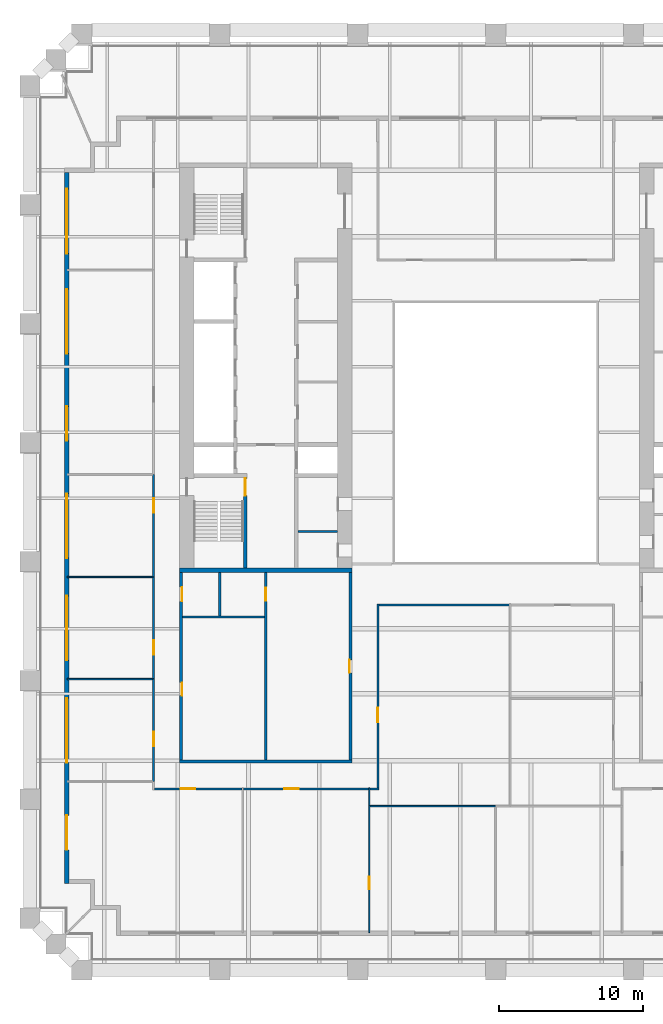
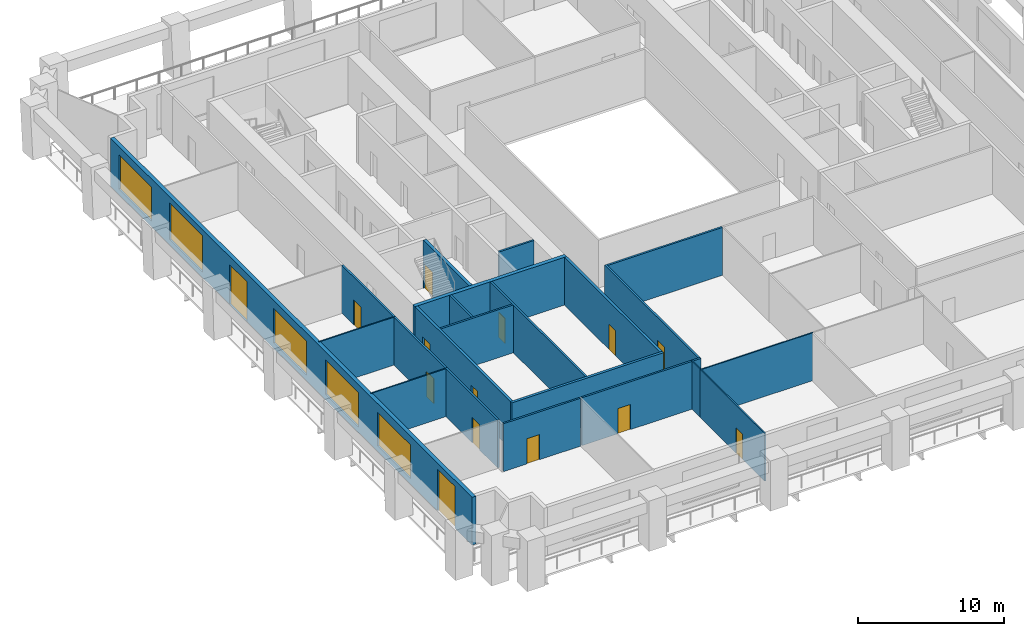
# One storey, part 3 of 9: 23 walls, 14 doors, 5 windows, 19 openings.
"""IFC4 building model written with IfcOpenShell, lengths in metres."""

import ifcopenshell
import ifcopenshell.guid

model = None  # the IFC model being written
_history = None  # IfcOwnerHistory: only IFC2X3 demands one
_inside = {}  # id of a spatial element -> (the spatial element, [elements in it])
_under = {}  # id of a project, library or spatial element -> (it, [spatial elements below it])
_declared = {}  # id of a project -> (the project, [libraries it declares])
_typed = {}  # id of a type object -> (the type object, [elements of that type])
_made_of = {}  # id of a material, layer set ... -> (it, [elements and type objects made of it])


def new_model(schema):
    """Start an empty IFC model of exactly this schema.

    Asked for "IFC4X3", IfcOpenShell would pick the latest addendum, in which some entities
    have other attributes; the version numbers below select the first issue.
    IFC2X3 requires an IfcOwnerHistory on every rooted entity: one is made here for all.
    """
    global model, _history
    if schema == "IFC4X3":
        model = ifcopenshell.file(schema_version=(4, 3, 0, 0))
    else:
        model = ifcopenshell.file(schema=schema)
    _inside.clear()
    _under.clear()
    _declared.clear()
    _typed.clear()
    _made_of.clear()
    _history = None
    if model.schema == "IFC2X3":
        org = make("IfcOrganization", Name="unknown")
        user = make(
            "IfcPersonAndOrganization",
            ThePerson=make("IfcPerson", FamilyName="unknown"),
            TheOrganization=org,
        )
        app = make(
            "IfcApplication",
            ApplicationDeveloper=org,
            Version="unknown",
            ApplicationFullName="unknown",
            ApplicationIdentifier="unknown",
        )
        _history = make(
            "IfcOwnerHistory",
            OwningUser=user,
            OwningApplication=app,
            ChangeAction="ADDED",
            CreationDate=0,
        )
    return model


def make(cls, **values):
    """One entity of the class cls with the attributes given. An attribute that is None is left unset."""
    return model.create_entity(
        cls, **{name: value for name, value in values.items() if value is not None}
    )


def rooted(cls, **values):
    """An entity with a GlobalId (a new one), such as an element, a storey or a relation."""
    return make(cls, GlobalId=ifcopenshell.guid.new(), OwnerHistory=_history, **values)


def si_unit(unit_type, name, prefix=None):
    """IfcSIUnit, for example si_unit("LENGTHUNIT", "METRE", prefix="MILLI")."""
    return make("IfcSIUnit", UnitType=unit_type, Prefix=prefix, Name=name)


def assignment(units):
    """IfcUnitAssignment: the units of a project."""
    return None if units is None else make("IfcUnitAssignment", Units=units)


def point(xyz):
    """IfcCartesianPoint."""
    return None if xyz is None else make("IfcCartesianPoint", Coordinates=xyz)


def direction(xyz):
    """IfcDirection."""
    return None if xyz is None else make("IfcDirection", DirectionRatios=xyz)


def frame(location, z_axis=None, x_axis=None):
    """IfcAxis2Placement3D, a coordinate frame: its origin and axes. An axis left out is left unset."""
    return make(
        "IfcAxis2Placement3D",
        Location=point(location),
        Axis=direction(z_axis),
        RefDirection=direction(x_axis),
    )


def frame_2d(location, x_axis=None):
    """IfcAxis2Placement2D, a coordinate frame in the plane: its origin and x axis."""
    return make(
        "IfcAxis2Placement2D", Location=point(location), RefDirection=direction(x_axis)
    )


def origin():
    """The frame at (0, 0, 0) with its axes left unset."""
    return frame((0.0, 0.0, 0.0))


def place(relative_to, where):
    """IfcLocalPlacement: puts the frame where relative to a parent placement (None: the world)."""
    return make(
        "IfcLocalPlacement", PlacementRelTo=relative_to, RelativePlacement=where
    )


def context(
    kind, dimensions, precision=None, world=None, true_north=None, identifier=None
):
    """IfcGeometricRepresentationContext, for example the 3D "Model" context."""
    return make(
        "IfcGeometricRepresentationContext",
        ContextIdentifier=identifier,
        ContextType=kind,
        CoordinateSpaceDimension=dimensions,
        Precision=precision,
        WorldCoordinateSystem=world,
        TrueNorth=true_north,
    )


def subcontext(parent, identifier, kind, view, scale=None):
    """IfcGeometricRepresentationSubContext, for example "Body" below "Model"."""
    return make(
        "IfcGeometricRepresentationSubContext",
        ContextIdentifier=identifier,
        ContextType=kind,
        ParentContext=parent,
        TargetScale=scale,
        TargetView=view,
    )


def project(units=None, contexts=None):
    """IfcProject with its units and contexts."""
    return rooted(
        "IfcProject",
        Name="project",
        RepresentationContexts=contexts,
        UnitsInContext=assignment(units),
    )


def spatial(cls, under=None, at=None, **own):
    """A site, building, storey or space (cls), placed at a placement, below another one or the project."""
    s = rooted(cls, ObjectPlacement=at, **own)
    if under is not None:
        _under.setdefault(under.id(), (under, []))[1].append(s)
    return s


def profile(cls, at=None, kind="AREA", **sizes):
    """A parametric profile (cls). Its sizes go by their IFC names, for example OverallWidth=200.0."""
    return make(cls, ProfileType=kind, Position=at, **sizes)


def rectangle(**sizes):
    """IfcRectangleProfileDef."""
    return profile("IfcRectangleProfileDef", **sizes)


def extrude(swept, where, along, depth):
    """IfcExtrudedAreaSolid: the profile swept, set in the frame where, extruded along a direction by depth."""
    return make(
        "IfcExtrudedAreaSolid",
        SweptArea=swept,
        Position=where,
        ExtrudedDirection=direction(along),
        Depth=depth,
    )


def shape(context_of_items, identifier, shape_type, items):
    """IfcShapeRepresentation: the items that make up one representation, for example the "Body"."""
    return make(
        "IfcShapeRepresentation",
        ContextOfItems=context_of_items,
        RepresentationIdentifier=identifier,
        RepresentationType=shape_type,
        Items=items,
    )


def material(Name=None, Category=None):
    """IfcMaterial."""
    return make("IfcMaterial", Name=Name, Category=Category)


def layer(
    of_material, thickness, ventilated=None, Name=None, Category=None, Priority=None
):
    """IfcMaterialLayer: one layer of a wall or slab, of a material (None: an air gap)."""
    return make(
        "IfcMaterialLayer",
        Material=of_material,
        LayerThickness=thickness,
        IsVentilated=ventilated,
        Name=Name,
        Category=Category,
        Priority=Priority,
    )


def layer_set(layers, Name=None):
    """IfcMaterialLayerSet."""
    return make("IfcMaterialLayerSet", MaterialLayers=layers, LayerSetName=Name)


def made_of(thing, what):
    """Note that an element or type object is made of a material, layer set ...; save() writes the relation."""
    if what is not None:
        _made_of.setdefault(what.id(), (what, []))[1].append(thing)
    return thing


def type_object(cls, material=None, **own):
    """A type object (cls), such as IfcWallType, which elements share."""
    return made_of(rooted(cls, **own), material)


def element(
    cls,
    number,
    at=None,
    inside=None,
    cuts=None,
    type_object=None,
    material=None,
    context=None,
    identifier="Body",
    shape_type=None,
    held_by="IfcProductDefinitionShape",
    body=None,
    shapes=None,
    **own,
):
    """One element of the class cls, such as IfcWall. Its Tag is "e" and its number.

    at: its placement. inside: the storey or other place that contains it. cuts: it is an
    opening in that element (IfcRelVoidsElement). A single representation is given by context,
    identifier, shape_type and body (its items); several are given by shapes. held_by: the class
    of the entity that holds the representations. save() writes the other relations.
    """
    e = rooted(cls, Tag="e%d" % number, ObjectPlacement=at, **own)
    if body is not None:
        shapes = [shape(context, identifier, shape_type, body)]
    if shapes is not None:
        e.Representation = make(held_by, Representations=shapes)
    if inside is not None:
        _inside.setdefault(inside.id(), (inside, []))[1].append(e)
    if cuts is not None:
        rooted(
            "IfcRelVoidsElement", RelatingBuildingElement=cuts, RelatedOpeningElement=e
        )
    if type_object is not None:
        _typed.setdefault(type_object.id(), (type_object, []))[1].append(e)
    return made_of(e, material)


def fill(opening, filler):
    """IfcRelFillsElement: the door or window that sits in an opening."""
    return rooted(
        "IfcRelFillsElement",
        RelatingOpeningElement=opening,
        RelatedBuildingElement=filler,
    )


def aggregate(whole, parts):
    """IfcRelAggregates: a whole, such as a stair, and the parts it consists of."""
    return rooted("IfcRelAggregates", RelatingObject=whole, RelatedObjects=parts)


def save(model, path):
    """Write the relations noted so far, then the file.

    IfcRelAggregates (storeys below a building ...), IfcRelContainedInSpatialStructure (elements
    in a storey), IfcRelDefinesByType, IfcRelAssociatesMaterial and IfcRelDeclares: one each for
    every whole, place, type object, material and project.
    """
    for whole, parts in _under.values():
        aggregate(whole, parts)
    for where, things in _inside.values():
        rooted(
            "IfcRelContainedInSpatialStructure",
            RelatedElements=things,
            RelatingStructure=where,
        )
    for kind, things in _typed.values():
        rooted("IfcRelDefinesByType", RelatedObjects=things, RelatingType=kind)
    for what, things in _made_of.values():
        rooted("IfcRelAssociatesMaterial", RelatedObjects=things, RelatingMaterial=what)
    for by, libraries in _declared.values():
        rooted("IfcRelDeclares", RelatingContext=by, RelatedDefinitions=libraries)
    model.write(path)


model = new_model("IFC4")

# Units and contexts
model_context = context("Model", 3, precision=1e-05, world=origin(), true_north=direction((0.0, 1.0)))
body_context = subcontext(model_context, "Body", "Model", "MODEL_VIEW")
ifc_project = project(units=[si_unit("LENGTHUNIT", "METRE"), si_unit("AREAUNIT", "SQUARE_METRE"), si_unit("VOLUMEUNIT", "CUBIC_METRE"), si_unit("PLANEANGLEUNIT", "RADIAN"), si_unit("MASSUNIT", "GRAM", prefix="KILO")], contexts=[model_context])

# Site, building, storey
site_placement = place(None, origin())
site = spatial("IfcSite", under=ifc_project, at=site_placement, CompositionType="ELEMENT")
building_placement = place(site_placement, origin())
building = spatial("IfcBuilding", under=site, at=building_placement, Name="Ogive Exchange Tower", CompositionType="ELEMENT")
storey_placement = place(building_placement, frame((0.0, 0.0, 69.0)))
storey = spatial("IfcBuildingStorey", under=building, at=storey_placement, Name="L14", CompositionType="ELEMENT", Elevation=69.0)

# Wall
ifc_material_1 = material(Name="Gypsum board partition")
ifc_layer_1 = layer(ifc_material_1, 0.14990234375)
ifc_layer_set_1 = layer_set([ifc_layer_1], Name="Core room partition 150 gypsum")
wall_type_1 = type_object("IfcWallType", Name="Core room partition 150 gypsum", PredefinedType="PARTITIONING", material=ifc_layer_set_1)
wall_1_placement = place(storey_placement, frame((-13.75, 0.10009765625, 0.0), z_axis=(0.0, 0.0, 1.0), x_axis=(1.0, 0.0, 0.0)))
element("IfcWall", 1, at=wall_1_placement, inside=storey, type_object=wall_type_1, Name="W south room partition", PredefinedType="PARTITIONING", context=body_context, shape_type="SweptSolid", body=[
    extrude(rectangle(XDim=2.75, YDim=0.14990234375, at=frame_2d((1.375, 0.0))), origin(), (0.0, 0.0, 1.0), 4.0),
])

# Wall, opening, door
wall_2_placement = place(storey_placement, frame((-16.0, -15.800048828125, 0.0), z_axis=(0.0, 0.0, 1.0), x_axis=(0.0, 1.0, 0.0)))
wall_2 = element("IfcWall", 2, at=wall_2_placement, inside=storey, type_object=wall_type_1, Name="W annex S column wall", PredefinedType="PARTITIONING", context=body_context, shape_type="SweptSolid", body=[
    extrude(rectangle(XDim=13.050048828125, YDim=0.14990234375, at=frame_2d((6.52490234375, 0.0))), origin(), (0.0, 0.0, 1.0), 4.0),
])
opening_1_placement = place(wall_2_placement, frame((11.08740234375, 0.0, 0.0)))
opening_1 = element("IfcOpeningElement", 3, at=opening_1_placement, cuts=wall_2, Name="Opening L14-C22", PredefinedType="OPENING", context=body_context, shape_type="SweptSolid", body=[
    extrude(rectangle(XDim=0.89990234375, YDim=2.10009765625, at=frame_2d((0.449951171875, 1.050048828125))), frame((0.0, 0.0849609375, 0.0), z_axis=(0.0, -1.0, 0.0), x_axis=(1.0, 0.0, 0.0)), (0.0, 0.0, 1.0), 0.169921875),
])
ifc_material_2 = material(Name="Timber fire door", Category="wood")
door_type_1 = type_object("IfcDoorType", Name="Core room door FD30S 900 x 2100", OperationType="NOTDEFINED", PredefinedType="DOOR", material=ifc_material_2)
door_1_placement = place(opening_1_placement, origin())
door_1 = element("IfcDoor", 4, at=door_1_placement, inside=storey, type_object=door_type_1, Name="Core room door", ObjectType="CD6", OperationType="SINGLE_SWING_RIGHT", OverallHeight=2.10009765625, OverallWidth=0.89990234375, PredefinedType="DOOR", context=body_context, shape_type="SweptSolid", body=[
    extrude(rectangle(XDim=0.89990234375, YDim=2.10009765625, at=frame_2d((0.449951171875, 1.050048828125))), frame((0.0, 0.02490234375, 0.0), z_axis=(0.0, -1.0, 0.0), x_axis=(1.0, 0.0, 0.0)), (0.0, 0.0, 1.0), 0.050048828125),
])
fill(opening_1, door_1)

# Walls
wall_3_placement = place(storey_placement, frame((-21.800048828125, -5.85009765625, 0.0), z_axis=(0.0, 0.0, 1.0), x_axis=(1.0, 0.0, 0.0)))
element("IfcWall", 5, at=wall_3_placement, inside=storey, type_object=wall_type_1, Name="W annex S wc strip wall 00", PredefinedType="PARTITIONING", context=body_context, shape_type="SweptSolid", body=[
    extrude(rectangle(XDim=5.72509765625, YDim=0.14990234375, at=frame_2d((2.862548828125, 0.0))), origin(), (0.0, 0.0, 1.0), 4.0),
])
wall_4_placement = place(storey_placement, frame((-19.199951171875, -5.77490234375, 0.0), z_axis=(0.0, 0.0, 1.0), x_axis=(0.0, 1.0, 0.0)))
element("IfcWall", 6, at=wall_4_placement, inside=storey, type_object=wall_type_1, Name="W annex S wc partition 00", PredefinedType="PARTITIONING", context=body_context, shape_type="SweptSolid", body=[
    extrude(rectangle(XDim=3.02490234375, YDim=0.14990234375, at=frame_2d((1.512451171875, 0.0))), origin(), (0.0, 0.0, 1.0), 4.0),
])

# Wall, opening, door
ifc_material_3 = material(Name="Fire partition EI 60 150")
ifc_layer_2 = layer(ifc_material_3, 0.14990234375)
ifc_layer_set_2 = layer_set([ifc_layer_2], Name="Fire partition EI 60 150")
wall_type_2 = type_object("IfcWallType", Name="Fire partition EI 60 150", PredefinedType="PARTITIONING", material=ifc_layer_set_2)
wall_5_placement = place(storey_placement, frame((-23.800048828125, -17.2900390625, 0.0), z_axis=(0.0, 0.0, 1.0), x_axis=(0.0, 1.0, 0.0)))
wall_5 = element("IfcWall", 7, at=wall_5_placement, inside=storey, type_object=wall_type_2, Name="L14-PWL-003", PredefinedType="PARTITIONING", context=body_context, shape_type="SweptSolid", body=[
    extrude(rectangle(XDim=7.169921875, YDim=0.14990234375, at=frame_2d((3.5849609375, 0.0))), origin(), (0.0, 0.0, 1.0), 4.0),
])
opening_2_placement = place(wall_5_placement, frame((2.469970703125, 0.0, 0.0)))
opening_2 = element("IfcOpeningElement", 8, at=opening_2_placement, cuts=wall_5, Name="Opening L14-I17", PredefinedType="OPENING", context=body_context, shape_type="SweptSolid", body=[
    extrude(rectangle(XDim=1.0, YDim=2.10009765625, at=frame_2d((0.5, 1.050048828125))), frame((0.0, 0.0849609375, 0.0), z_axis=(0.0, -1.0, 0.0), x_axis=(1.0, 0.0, 0.0)), (0.0, 0.0, 1.0), 0.169921875),
])
ifc_material_4 = material(Name="Fire door FD 30S 1000 x 2100")
door_type_2 = type_object("IfcDoorType", Name="Fire door FD 30S 1000 x 2100", OperationType="NOTDEFINED", PredefinedType="DOOR", material=ifc_material_4)
door_2_placement = place(opening_2_placement, origin())
door_2 = element("IfcDoor", 9, at=door_2_placement, inside=storey, type_object=door_type_2, Name="L14-IDR-017", ObjectType="DT3", OperationType="SINGLE_SWING_RIGHT", OverallHeight=2.10009765625, OverallWidth=1.0, PredefinedType="DOOR", context=body_context, shape_type="SweptSolid", body=[
    extrude(rectangle(XDim=1.0, YDim=2.10009765625, at=frame_2d((0.5, 1.050048828125))), frame((0.0, 0.02490234375, 0.0), z_axis=(0.0, -1.0, 0.0), x_axis=(1.0, 0.0, 0.0)), (0.0, 0.0, 1.0), 0.050048828125),
])
fill(opening_2, door_2)

wall_6_placement = place(storey_placement, frame((-23.800048828125, -10.1201171875, 0.0), z_axis=(0.0, 0.0, 1.0), x_axis=(0.0, 1.0, 0.0)))
wall_6 = element("IfcWall", 10, at=wall_6_placement, inside=storey, type_object=wall_type_2, Name="L14-PWL-005", PredefinedType="PARTITIONING", context=body_context, shape_type="SweptSolid", body=[
    extrude(rectangle(XDim=7.06005859375, YDim=0.14990234375, at=frame_2d((3.530029296875, 0.0))), origin(), (0.0, 0.0, 1.0), 4.0),
])
opening_3_placement = place(wall_6_placement, frame((1.659912109375, 0.0, 0.0)))
opening_3 = element("IfcOpeningElement", 11, at=opening_3_placement, cuts=wall_6, Name="Opening L14-I15", PredefinedType="OPENING", context=body_context, shape_type="SweptSolid", body=[
    extrude(rectangle(XDim=1.0, YDim=2.10009765625, at=frame_2d((0.5, 1.050048828125))), frame((0.0, 0.0849609375, 0.0), z_axis=(0.0, -1.0, 0.0), x_axis=(1.0, 0.0, 0.0)), (0.0, 0.0, 1.0), 0.169921875),
])
door_3_placement = place(opening_3_placement, origin())
door_3 = element("IfcDoor", 12, at=door_3_placement, inside=storey, type_object=door_type_2, Name="L14-IDR-015", ObjectType="DT3", OperationType="SINGLE_SWING_RIGHT", OverallHeight=2.10009765625, OverallWidth=1.0, PredefinedType="DOOR", context=body_context, shape_type="SweptSolid", body=[
    extrude(rectangle(XDim=1.0, YDim=2.10009765625, at=frame_2d((0.5, 1.050048828125))), frame((0.0, 0.02490234375, 0.0), z_axis=(0.0, -1.0, 0.0), x_axis=(1.0, 0.0, 0.0)), (0.0, 0.0, 1.0), 0.050048828125),
])
fill(opening_3, door_3)

wall_7_placement = place(storey_placement, frame((-23.800048828125, -3.06005859375, 0.0), z_axis=(0.0, 0.0, 1.0), x_axis=(0.0, 1.0, 0.0)))
wall_7 = element("IfcWall", 13, at=wall_7_placement, inside=storey, type_object=wall_type_2, Name="L14-PWL-007", PredefinedType="PARTITIONING", context=body_context, shape_type="SweptSolid", body=[
    extrude(rectangle(XDim=7.1201171875, YDim=0.14990234375, at=frame_2d((3.56005859375, 0.0))), origin(), (0.0, 0.0, 1.0), 4.0),
])
opening_4_placement = place(wall_7_placement, frame((4.469970703125, 0.0, 0.0)))
opening_4 = element("IfcOpeningElement", 14, at=opening_4_placement, cuts=wall_7, Name="Opening L14-I14", PredefinedType="OPENING", context=body_context, shape_type="SweptSolid", body=[
    extrude(rectangle(XDim=1.0, YDim=2.10009765625, at=frame_2d((0.5, 1.050048828125))), frame((0.0, 0.0849609375, 0.0), z_axis=(0.0, -1.0, 0.0), x_axis=(1.0, 0.0, 0.0)), (0.0, 0.0, 1.0), 0.169921875),
])
door_4_placement = place(opening_4_placement, origin())
door_4 = element("IfcDoor", 15, at=door_4_placement, inside=storey, type_object=door_type_2, Name="L14-IDR-014", ObjectType="DT3", OperationType="SINGLE_SWING_LEFT", OverallHeight=2.10009765625, OverallWidth=1.0, PredefinedType="DOOR", context=body_context, shape_type="SweptSolid", body=[
    extrude(rectangle(XDim=1.0, YDim=2.10009765625, at=frame_2d((0.5, 1.050048828125))), frame((0.0, 0.02490234375, 0.0), z_axis=(0.0, -1.0, 0.0), x_axis=(1.0, 0.0, 0.0)), (0.0, 0.0, 1.0), 0.050048828125),
])
fill(opening_4, door_4)

wall_8_placement = place(storey_placement, frame((-17.64990234375, -17.800048828125, 0.0), z_axis=(0.0, 0.0, 1.0), x_axis=(-1.0, 0.0, 0.0)))
wall_8 = element("IfcWall", 16, at=wall_8_placement, inside=storey, type_object=wall_type_2, Name="L14-PWL-014", PredefinedType="PARTITIONING", context=body_context, shape_type="SweptSolid", body=[
    extrude(rectangle(XDim=6.0751953125, YDim=0.14990234375, at=frame_2d((3.03759765625, 0.0))), origin(), (0.0, 0.0, 1.0), 4.0),
])
opening_5_placement = place(wall_8_placement, frame((3.25, 0.0, 0.0)))
opening_5 = element("IfcOpeningElement", 17, at=opening_5_placement, cuts=wall_8, Name="Opening L14-I18", PredefinedType="OPENING", context=body_context, shape_type="SweptSolid", body=[
    extrude(rectangle(XDim=1.0, YDim=2.10009765625, at=frame_2d((0.5, 1.050048828125))), frame((0.0, 0.0849609375, 0.0), z_axis=(0.0, -1.0, 0.0), x_axis=(1.0, 0.0, 0.0)), (0.0, 0.0, 1.0), 0.169921875),
])
door_5_placement = place(opening_5_placement, origin())
door_5 = element("IfcDoor", 18, at=door_5_placement, inside=storey, type_object=door_type_2, Name="L14-IDR-018", ObjectType="DT3", OperationType="SINGLE_SWING_RIGHT", OverallHeight=2.10009765625, OverallWidth=1.0, PredefinedType="DOOR", context=body_context, shape_type="SweptSolid", body=[
    extrude(rectangle(XDim=1.0, YDim=2.10009765625, at=frame_2d((0.5, 1.050048828125))), frame((0.0, 0.02490234375, 0.0), z_axis=(0.0, -1.0, 0.0), x_axis=(1.0, 0.0, 0.0)), (0.0, 0.0, 1.0), 0.050048828125),
])
fill(opening_5, door_5)

wall_9_placement = place(storey_placement, frame((-8.85009765625, -17.800048828125, 0.0), z_axis=(0.0, 0.0, 1.0), x_axis=(-1.0, 0.0, 0.0)))
wall_9 = element("IfcWall", 19, at=wall_9_placement, inside=storey, type_object=wall_type_2, Name="L14-PWL-018", PredefinedType="PARTITIONING", context=body_context, shape_type="SweptSolid", body=[
    extrude(rectangle(XDim=8.699951171875, YDim=0.14990234375, at=frame_2d((4.35009765625, 0.0))), origin(), (0.0, 0.0, 1.0), 4.0),
])
opening_6_placement = place(wall_9_placement, frame((4.85009765625, 0.0, 0.0)))
opening_6 = element("IfcOpeningElement", 20, at=opening_6_placement, cuts=wall_9, Name="Opening L14-I16", PredefinedType="OPENING", context=body_context, shape_type="SweptSolid", body=[
    extrude(rectangle(XDim=1.0, YDim=2.10009765625, at=frame_2d((0.5, 1.050048828125))), frame((0.0, 0.0849609375, 0.0), z_axis=(0.0, -1.0, 0.0), x_axis=(1.0, 0.0, 0.0)), (0.0, 0.0, 1.0), 0.169921875),
])
door_6_placement = place(opening_6_placement, origin())
door_6 = element("IfcDoor", 21, at=door_6_placement, inside=storey, type_object=door_type_2, Name="L14-IDR-016", ObjectType="DT3", OperationType="SINGLE_SWING_LEFT", OverallHeight=2.10009765625, OverallWidth=1.0, PredefinedType="DOOR", context=body_context, shape_type="SweptSolid", body=[
    extrude(rectangle(XDim=1.0, YDim=2.10009765625, at=frame_2d((0.5, 1.050048828125))), frame((0.0, 0.02490234375, 0.0), z_axis=(0.0, -1.0, 0.0), x_axis=(1.0, 0.0, 0.0)), (0.0, 0.0, 1.0), 0.050048828125),
])
fill(opening_6, door_6)

# Wall
wall_10_placement = place(storey_placement, frame((-8.125, -17.800048828125, 0.0), z_axis=(0.0, 0.0, 1.0), x_axis=(-1.0, 0.0, 0.0)))
element("IfcWall", 22, at=wall_10_placement, inside=storey, type_object=wall_type_2, Name="L14-PWL-020", PredefinedType="PARTITIONING", context=body_context, shape_type="SweptSolid", body=[
    extrude(rectangle(XDim=0.625, YDim=0.14990234375, at=frame_2d((0.3125, 0.0))), origin(), (0.0, 0.0, 1.0), 4.0),
])

# Wall, opening, door
wall_11_placement = place(storey_placement, frame((-8.199951171875, -4.925048828125, 0.0), z_axis=(0.0, 0.0, 1.0), x_axis=(0.0, -1.0, 0.0)))
wall_11 = element("IfcWall", 23, at=wall_11_placement, inside=storey, type_object=wall_type_2, Name="L14-PWL-021", PredefinedType="PARTITIONING", context=body_context, shape_type="SweptSolid", body=[
    extrude(rectangle(XDim=12.800048828125, YDim=0.14990234375, at=frame_2d((6.39990234375, 0.0))), origin(), (0.0, 0.0, 1.0), 4.0),
])
opening_7_placement = place(wall_11_placement, frame((7.22509765625, 0.0, 0.0)))
opening_7 = element("IfcOpeningElement", 24, at=opening_7_placement, cuts=wall_11, Name="Opening L14-I09", PredefinedType="OPENING", context=body_context, shape_type="SweptSolid", body=[
    extrude(rectangle(XDim=1.0, YDim=2.10009765625, at=frame_2d((0.5, 1.050048828125))), frame((0.0, 0.0849609375, 0.0), z_axis=(0.0, -1.0, 0.0), x_axis=(1.0, 0.0, 0.0)), (0.0, 0.0, 1.0), 0.169921875),
])
door_7_placement = place(opening_7_placement, origin())
door_7 = element("IfcDoor", 25, at=door_7_placement, inside=storey, type_object=door_type_2, Name="L14-IDR-009", ObjectType="DT3", OperationType="SINGLE_SWING_RIGHT", OverallHeight=2.10009765625, OverallWidth=1.0, PredefinedType="DOOR", context=body_context, shape_type="SweptSolid", body=[
    extrude(rectangle(XDim=1.0, YDim=2.10009765625, at=frame_2d((0.5, 1.050048828125))), frame((0.0, 0.02490234375, 0.0), z_axis=(0.0, -1.0, 0.0), x_axis=(1.0, 0.0, 0.0)), (0.0, 0.0, 1.0), 0.050048828125),
])
fill(opening_7, door_7)

# Wall
wall_12_placement = place(storey_placement, frame((0.949951171875, -5.0, 0.0), z_axis=(0.0, 0.0, 1.0), x_axis=(-1.0, 0.0, 0.0)))
element("IfcWall", 26, at=wall_12_placement, inside=storey, type_object=wall_type_2, Name="L14-PWL-032", PredefinedType="PARTITIONING", context=body_context, shape_type="SweptSolid", body=[
    extrude(rectangle(XDim=9.074951171875, YDim=0.14990234375, at=frame_2d((4.53759765625, 0.0))), origin(), (0.0, 0.0, 1.0), 4.0),
])

# Wall, openings, doors, windows
ifc_material_5 = material(Name="Precast concrete C40/50", Category="concrete")
ifc_layer_3 = layer(ifc_material_5, 0.300048828125)
ifc_layer_set_3 = layer_set([ifc_layer_3], Name="Limestone-faced wall 300")
wall_type_3 = type_object("IfcWallType", Name="Limestone-faced wall 300", PredefinedType="STANDARD", material=ifc_layer_set_3)
wall_13_placement = place(storey_placement, frame((-29.85009765625, 25.10009765625, 0.0), z_axis=(0.0, 0.0, 1.0), x_axis=(0.0, -1.0, 0.0)))
wall_13 = element("IfcWall", 27, at=wall_13_placement, inside=storey, type_object=wall_type_3, Name="External wall W4", PredefinedType="STANDARD", context=body_context, shape_type="SweptSolid", body=[
    extrude(rectangle(XDim=49.5, YDim=0.300048828125, at=frame_2d((24.75, 0.0))), origin(), (0.0, 0.0, 1.0), 4.0),
])
opening_8_placement = place(wall_13_placement, frame((1.156982421875, 0.0, 0.449951171875)))
opening_8 = element("IfcOpeningElement", 28, at=opening_8_placement, cuts=wall_13, Name="Opening W1D", PredefinedType="OPENING", context=body_context, shape_type="SweptSolid", body=[
    extrude(rectangle(XDim=4.5, YDim=2.875, at=frame_2d((2.25, 1.4375))), frame((0.0, 0.159912109375, 0.0), z_axis=(0.0, -1.0, 0.0), x_axis=(1.0, 0.0, 0.0)), (0.0, 0.0, 1.0), 0.320068359375),
])
opening_9_placement = place(wall_13_placement, frame((8.121337890625, 0.0, 0.449951171875)))
opening_9 = element("IfcOpeningElement", 29, at=opening_9_placement, cuts=wall_13, Name="Opening W1", PredefinedType="OPENING", context=body_context, shape_type="SweptSolid", body=[
    extrude(rectangle(XDim=4.5, YDim=3.050048828125, at=frame_2d((2.25, 1.52490234375))), frame((0.0, 0.159912109375, 0.0), z_axis=(0.0, -1.0, 0.0), x_axis=(1.0, 0.0, 0.0)), (0.0, 0.0, 1.0), 0.320068359375),
])
opening_10_placement = place(wall_13_placement, frame((16.28564453125, 0.0, 0.0)))
opening_10 = element("IfcOpeningElement", 30, at=opening_10_placement, cuts=wall_13, Name="Opening D1C", PredefinedType="OPENING", context=body_context, shape_type="SweptSolid", body=[
    extrude(rectangle(XDim=2.39990234375, YDim=3.324951171875, at=frame_2d((1.199951171875, 1.66259765625))), frame((0.0, 0.159912109375, 0.0), z_axis=(0.0, -1.0, 0.0), x_axis=(1.0, 0.0, 0.0)), (0.0, 0.0, 1.0), 0.320068359375),
])
opening_11_placement = place(wall_13_placement, frame((22.35009765625, 0.0, 0.449951171875)))
opening_11 = element("IfcOpeningElement", 31, at=opening_11_placement, cuts=wall_13, Name="Opening W1D", PredefinedType="OPENING", context=body_context, shape_type="SweptSolid", body=[
    extrude(rectangle(XDim=4.5, YDim=2.875, at=frame_2d((2.25, 1.4375))), frame((0.0, 0.159912109375, 0.0), z_axis=(0.0, -1.0, 0.0), x_axis=(1.0, 0.0, 0.0)), (0.0, 0.0, 1.0), 0.320068359375),
])
opening_12_placement = place(wall_13_placement, frame((29.464111328125, 0.0, 0.449951171875)))
opening_12 = element("IfcOpeningElement", 32, at=opening_12_placement, cuts=wall_13, Name="Opening W1D", PredefinedType="OPENING", context=body_context, shape_type="SweptSolid", body=[
    extrude(rectangle(XDim=4.5, YDim=2.875, at=frame_2d((2.25, 1.4375))), frame((0.0, 0.159912109375, 0.0), z_axis=(0.0, -1.0, 0.0), x_axis=(1.0, 0.0, 0.0)), (0.0, 0.0, 1.0), 0.320068359375),
])
opening_13_placement = place(wall_13_placement, frame((36.57861328125, 0.0, 0.449951171875)))
opening_13 = element("IfcOpeningElement", 33, at=opening_13_placement, cuts=wall_13, Name="Opening W1E", PredefinedType="OPENING", context=body_context, shape_type="SweptSolid", body=[
    extrude(rectangle(XDim=4.5, YDim=2.824951171875, at=frame_2d((2.25, 1.41259765625))), frame((0.0, 0.159912109375, 0.0), z_axis=(0.0, -1.0, 0.0), x_axis=(1.0, 0.0, 0.0)), (0.0, 0.0, 1.0), 0.320068359375),
])
opening_14_placement = place(wall_13_placement, frame((44.742919921875, 0.0, 0.0)))
opening_14 = element("IfcOpeningElement", 34, at=opening_14_placement, cuts=wall_13, Name="Opening D1", PredefinedType="OPENING", context=body_context, shape_type="SweptSolid", body=[
    extrude(rectangle(XDim=2.39990234375, YDim=3.5, at=frame_2d((1.199951171875, 1.75))), frame((0.0, 0.159912109375, 0.0), z_axis=(0.0, -1.0, 0.0), x_axis=(1.0, 0.0, 0.0)), (0.0, 0.0, 1.0), 0.320068359375),
])
ifc_material_6 = material(Name="Clear glass in bronze frame", Category="glass")
door_type_3 = type_object("IfcDoorType", Name="Sliding loggia door 2400 x 3325", OperationType="DOUBLE_DOOR_SLIDING", PredefinedType="DOOR", material=ifc_material_6)
door_8_placement = place(opening_10_placement, origin())
door_8 = element("IfcDoor", 35, at=door_8_placement, inside=storey, type_object=door_type_3, Name="Loggia door W02", OperationType="DOUBLE_DOOR_SLIDING", OverallHeight=3.324951171875, OverallWidth=2.39990234375, PredefinedType="DOOR", context=body_context, shape_type="SweptSolid", body=[
    extrude(rectangle(XDim=2.39990234375, YDim=3.324951171875, at=frame_2d((1.199951171875, 1.66259765625))), frame((0.0, 0.02490234375, 0.0), z_axis=(0.0, -1.0, 0.0), x_axis=(1.0, 0.0, 0.0)), (0.0, 0.0, 1.0), 0.050048828125),
])
fill(opening_10, door_8)
door_type_4 = type_object("IfcDoorType", Name="Sliding loggia door 2400 x 3500", OperationType="DOUBLE_DOOR_SLIDING", PredefinedType="DOOR", material=ifc_material_6)
door_9_placement = place(opening_14_placement, origin())
door_9 = element("IfcDoor", 36, at=door_9_placement, inside=storey, type_object=door_type_4, Name="Loggia door W06", OperationType="DOUBLE_DOOR_SLIDING", OverallHeight=3.5, OverallWidth=2.39990234375, PredefinedType="DOOR", context=body_context, shape_type="SweptSolid", body=[
    extrude(rectangle(XDim=2.39990234375, YDim=3.5, at=frame_2d((1.199951171875, 1.75))), frame((0.0, 0.02490234375, 0.0), z_axis=(0.0, -1.0, 0.0), x_axis=(1.0, 0.0, 0.0)), (0.0, 0.0, 1.0), 0.050048828125),
])
fill(opening_14, door_9)
window_type_1 = type_object("IfcWindowType", Name="Twin lancet window 4500 x 2825", PartitioningType="DOUBLE_PANEL_VERTICAL", PredefinedType="WINDOW", material=ifc_material_6)
window_1_placement = place(opening_13_placement, origin())
window_1 = element("IfcWindow", 37, at=window_1_placement, inside=storey, type_object=window_type_1, Name="Window W05", OverallHeight=2.824951171875, OverallWidth=4.5, PartitioningType="DOUBLE_PANEL_VERTICAL", PredefinedType="WINDOW", context=body_context, shape_type="SweptSolid", body=[
    extrude(rectangle(XDim=4.5, YDim=2.824951171875, at=frame_2d((2.25, 1.41259765625))), frame((0.0, 0.030029296875, 0.0), z_axis=(0.0, -1.0, 0.0), x_axis=(1.0, 0.0, 0.0)), (0.0, 0.0, 1.0), 0.06005859375),
])
fill(opening_13, window_1)
window_type_2 = type_object("IfcWindowType", Name="Twin lancet window 4500 x 2875", PartitioningType="DOUBLE_PANEL_VERTICAL", PredefinedType="WINDOW", material=ifc_material_6)
window_2_placement = place(opening_8_placement, origin())
window_2 = element("IfcWindow", 38, at=window_2_placement, inside=storey, type_object=window_type_2, Name="Window W00", OverallHeight=2.875, OverallWidth=4.5, PartitioningType="DOUBLE_PANEL_VERTICAL", PredefinedType="WINDOW", context=body_context, shape_type="SweptSolid", body=[
    extrude(rectangle(XDim=4.5, YDim=2.875, at=frame_2d((2.25, 1.4375))), frame((0.0, 0.030029296875, 0.0), z_axis=(0.0, -1.0, 0.0), x_axis=(1.0, 0.0, 0.0)), (0.0, 0.0, 1.0), 0.06005859375),
])
fill(opening_8, window_2)
window_3_placement = place(opening_11_placement, origin())
window_3 = element("IfcWindow", 39, at=window_3_placement, inside=storey, type_object=window_type_2, Name="Window W03", OverallHeight=2.875, OverallWidth=4.5, PartitioningType="DOUBLE_PANEL_VERTICAL", PredefinedType="WINDOW", context=body_context, shape_type="SweptSolid", body=[
    extrude(rectangle(XDim=4.5, YDim=2.875, at=frame_2d((2.25, 1.4375))), frame((0.0, 0.030029296875, 0.0), z_axis=(0.0, -1.0, 0.0), x_axis=(1.0, 0.0, 0.0)), (0.0, 0.0, 1.0), 0.06005859375),
])
fill(opening_11, window_3)
window_4_placement = place(opening_12_placement, origin())
window_4 = element("IfcWindow", 40, at=window_4_placement, inside=storey, type_object=window_type_2, Name="Window W04", OverallHeight=2.875, OverallWidth=4.5, PartitioningType="DOUBLE_PANEL_VERTICAL", PredefinedType="WINDOW", context=body_context, shape_type="SweptSolid", body=[
    extrude(rectangle(XDim=4.5, YDim=2.875, at=frame_2d((2.25, 1.4375))), frame((0.0, 0.030029296875, 0.0), z_axis=(0.0, -1.0, 0.0), x_axis=(1.0, 0.0, 0.0)), (0.0, 0.0, 1.0), 0.06005859375),
])
fill(opening_12, window_4)
window_type_3 = type_object("IfcWindowType", Name="Twin lancet window 4500 x 3050", PartitioningType="DOUBLE_PANEL_VERTICAL", PredefinedType="WINDOW", material=ifc_material_6)
window_5_placement = place(opening_9_placement, origin())
window_5 = element("IfcWindow", 41, at=window_5_placement, inside=storey, type_object=window_type_3, Name="Window W01", OverallHeight=3.050048828125, OverallWidth=4.5, PartitioningType="DOUBLE_PANEL_VERTICAL", PredefinedType="WINDOW", context=body_context, shape_type="SweptSolid", body=[
    extrude(rectangle(XDim=4.5, YDim=3.050048828125, at=frame_2d((2.25, 1.52490234375))), frame((0.0, 0.030029296875, 0.0), z_axis=(0.0, -1.0, 0.0), x_axis=(1.0, 0.0, 0.0)), (0.0, 0.0, 1.0), 0.06005859375),
])
fill(opening_9, window_5)

# Walls
ifc_material_7 = material(Name="Partition 100 gypsum")
ifc_layer_4 = layer(ifc_material_7, 0.10009765625)
ifc_layer_set_4 = layer_set([ifc_layer_4], Name="Partition 100 gypsum")
wall_type_4 = type_object("IfcWallType", Name="Partition 100 gypsum", PredefinedType="PARTITIONING", material=ifc_layer_set_4)
for number, where, z_axis, x_axis, name in (
    (42, (-23.875, -10.169921875, 0.0), (0.0, 0.0, 1.0), (-1.0, 0.0, 0.0), "L14-PWL-004"),
    (43, (-23.875, -3.06005859375, 0.0), (0.0, 0.0, 1.0), (-1.0, 0.0, 0.0), "L14-PWL-006"),
):
    element("IfcWall", number, at=place(storey_placement, frame(where, z_axis=z_axis, x_axis=x_axis)), inside=storey, type_object=wall_type_4, Name=name, PredefinedType="PARTITIONING", context=body_context, shape_type="SweptSolid", body=[
        extrude(rectangle(XDim=5.925048828125, YDim=0.10009765625, at=frame_2d((2.96240234375, 0.0))), origin(), (0.0, 0.0, 1.0), 4.0),
    ])

# Wall, opening, door
wall_14_placement = place(storey_placement, frame((-8.800048828125, -27.800048828125, 0.0), z_axis=(0.0, 0.0, 1.0), x_axis=(0.0, 1.0, 0.0)))
wall_14 = element("IfcWall", 44, at=wall_14_placement, inside=storey, type_object=wall_type_4, Name="L14-PWL-015", PredefinedType="PARTITIONING", context=body_context, shape_type="SweptSolid", body=[
    extrude(rectangle(XDim=8.85009765625, YDim=0.10009765625, at=frame_2d((4.425048828125, 0.0))), origin(), (0.0, 0.0, 1.0), 4.0),
])
opening_15_placement = place(wall_14_placement, frame((3.0, 0.0, 0.0)))
opening_15 = element("IfcOpeningElement", 45, at=opening_15_placement, cuts=wall_14, Name="Opening L14-I05", PredefinedType="OPENING", context=body_context, shape_type="SweptSolid", body=[
    extrude(rectangle(XDim=0.89990234375, YDim=2.10009765625, at=frame_2d((0.449951171875, 1.050048828125))), frame((0.0, 0.06005859375, 0.0), z_axis=(0.0, -1.0, 0.0), x_axis=(1.0, 0.0, 0.0)), (0.0, 0.0, 1.0), 0.1201171875),
])
ifc_material_8 = material(Name="Door 900 x 2100")
door_type_5 = type_object("IfcDoorType", Name="Door 900 x 2100", OperationType="NOTDEFINED", PredefinedType="DOOR", material=ifc_material_8)
door_10_placement = place(opening_15_placement, frame((0.89990234375, 0.0, 0.0), z_axis=(0.0, 0.0, 1.0), x_axis=(-1.0, 0.0, 0.0)))
door_10 = element("IfcDoor", 46, at=door_10_placement, inside=storey, type_object=door_type_5, Name="L14-IDR-005", ObjectType="DT1", OperationType="SINGLE_SWING_LEFT", OverallHeight=2.10009765625, OverallWidth=0.89990234375, PredefinedType="DOOR", context=body_context, shape_type="SweptSolid", body=[
    extrude(rectangle(XDim=0.89990234375, YDim=2.10009765625, at=frame_2d((0.449951171875, 1.050048828125))), frame((0.0, 0.02490234375, 0.0), z_axis=(0.0, -1.0, 0.0), x_axis=(1.0, 0.0, 0.0)), (0.0, 0.0, 1.0), 0.050048828125),
])
fill(opening_15, door_10)

# Walls
wall_15_placement = place(storey_placement, frame((-8.800048828125, -18.949951171875, 0.0), z_axis=(0.0, 0.0, 1.0), x_axis=(0.0, 1.0, 0.0)))
element("IfcWall", 47, at=wall_15_placement, inside=storey, type_object=wall_type_4, Name="L14-PWL-016", PredefinedType="PARTITIONING", context=body_context, shape_type="SweptSolid", body=[
    extrude(rectangle(XDim=1.224853515625, YDim=0.10009765625, at=frame_2d((0.6123046875, 0.0))), origin(), (0.0, 0.0, 1.0), 4.0),
])
wall_16_placement = place(storey_placement, frame((-8.75, -19.0, 0.0), z_axis=(0.0, 0.0, 1.0), x_axis=(1.0, 0.0, 0.0)))
element("IfcWall", 48, at=wall_16_placement, inside=storey, type_object=wall_type_4, Name="L14-PWL-017", PredefinedType="PARTITIONING", context=body_context, shape_type="SweptSolid", body=[
    extrude(rectangle(XDim=8.800048828125, YDim=0.10009765625, at=frame_2d((4.39990234375, 0.0))), origin(), (0.0, 0.0, 1.0), 4.0),
])

# Wall, openings, doors
ifc_material_9 = material(Name="Concrete C70/85", Category="concrete")
ifc_layer_5 = layer(ifc_material_9, 0.199951171875)
ifc_layer_set_5 = layer_set([ifc_layer_5], Name="RC core wall 200 C70/85")
wall_type_5 = type_object("IfcWallType", Name="RC core wall 200 C70/85", PredefinedType="SHEAR", material=ifc_layer_set_5)
wall_17_placement = place(storey_placement, frame((-21.89990234375, -15.800048828125, 0.0), z_axis=(0.0, 0.0, 1.0), x_axis=(0.0, 1.0, 0.0)))
wall_17 = element("IfcWall", 49, at=wall_17_placement, inside=storey, type_object=wall_type_5, Name="W annex S outer wall", PredefinedType="SHEAR", context=body_context, shape_type="SweptSolid", body=[
    extrude(rectangle(XDim=13.050048828125, YDim=0.199951171875, at=frame_2d((6.52490234375, 0.0))), origin(), (0.0, 0.0, 1.0), 4.0),
])
opening_16_placement = place(wall_17_placement, frame((4.487548828125, 0.0, 0.0)))
opening_16 = element("IfcOpeningElement", 50, at=opening_16_placement, cuts=wall_17, Name="Opening L14-C20", PredefinedType="OPENING", context=body_context, shape_type="SweptSolid", body=[
    extrude(rectangle(XDim=0.89990234375, YDim=2.10009765625, at=frame_2d((0.449951171875, 1.050048828125))), frame((0.0, 0.10986328125, 0.0), z_axis=(0.0, -1.0, 0.0), x_axis=(1.0, 0.0, 0.0)), (0.0, 0.0, 1.0), 0.219970703125),
])
opening_17_placement = place(wall_17_placement, frame((11.03759765625, 0.0, 0.0)))
opening_17 = element("IfcOpeningElement", 51, at=opening_17_placement, cuts=wall_17, Name="Opening L14-C21", PredefinedType="OPENING", context=body_context, shape_type="SweptSolid", body=[
    extrude(rectangle(XDim=1.0, YDim=2.10009765625, at=frame_2d((0.5, 1.050048828125))), frame((0.0, 0.10986328125, 0.0), z_axis=(0.0, -1.0, 0.0), x_axis=(1.0, 0.0, 0.0)), (0.0, 0.0, 1.0), 0.219970703125),
])
door_type_6 = type_object("IfcDoorType", Name="Accessible WC door FD30S 1000 x 2100", OperationType="NOTDEFINED", PredefinedType="DOOR", material=ifc_material_2)
door_11_placement = place(opening_17_placement, frame((1.0, -0.14990234375, 0.0), z_axis=(0.0, 0.0, 1.0), x_axis=(-1.0, 0.0, 0.0)))
door_11 = element("IfcDoor", 52, at=door_11_placement, inside=storey, type_object=door_type_6, Name="Accessible WC door", ObjectType="CD7", OperationType="SINGLE_SWING_LEFT", OverallHeight=2.10009765625, OverallWidth=1.0, PredefinedType="DOOR", context=body_context, shape_type="SweptSolid", body=[
    extrude(rectangle(XDim=1.0, YDim=2.10009765625, at=frame_2d((0.5, 1.050048828125))), frame((0.0, -0.0498046875, 0.0), z_axis=(0.0, -1.0, 0.0), x_axis=(1.0, 0.0, 0.0)), (0.0, 0.0, 1.0), 0.050048828125),
])
fill(opening_17, door_11)
ifc_material_10 = material(Name="Steel fire door", Category="steel")
door_type_7 = type_object("IfcDoorType", Name="Riser door FD60 900 x 2100", OperationType="NOTDEFINED", PredefinedType="DOOR", material=ifc_material_10)
door_12_placement = place(opening_16_placement, frame((0.89990234375, -0.14990234375, 0.0), z_axis=(0.0, 0.0, 1.0), x_axis=(-1.0, 0.0, 0.0)))
door_12 = element("IfcDoor", 53, at=door_12_placement, inside=storey, type_object=door_type_7, Name="Riser door", ObjectType="CD2", OperationType="SINGLE_SWING_LEFT", OverallHeight=2.10009765625, OverallWidth=0.89990234375, PredefinedType="DOOR", context=body_context, shape_type="SweptSolid", body=[
    extrude(rectangle(XDim=0.89990234375, YDim=2.10009765625, at=frame_2d((0.449951171875, 1.050048828125))), frame((0.0, -0.0498046875, 0.0), z_axis=(0.0, -1.0, 0.0), x_axis=(1.0, 0.0, 0.0)), (0.0, 0.0, 1.0), 0.050048828125),
])
fill(opening_16, door_12)

# Wall, opening, door
wall_18_placement = place(storey_placement, frame((-10.10009765625, -15.800048828125, 0.0), z_axis=(0.0, 0.0, 1.0), x_axis=(0.0, 1.0, 0.0)))
wall_18 = element("IfcWall", 54, at=wall_18_placement, inside=storey, type_object=wall_type_5, Name="W annex S inner wall", PredefinedType="SHEAR", context=body_context, shape_type="SweptSolid", body=[
    extrude(rectangle(XDim=13.050048828125, YDim=0.199951171875, at=frame_2d((6.52490234375, 0.0))), origin(), (0.0, 0.0, 1.0), 4.0),
])
opening_18_placement = place(wall_18_placement, frame((6.074951171875, 0.0, 0.0)))
opening_18 = element("IfcOpeningElement", 55, at=opening_18_placement, cuts=wall_18, Name="Opening L14-C23", PredefinedType="OPENING", context=body_context, shape_type="SweptSolid", body=[
    extrude(rectangle(XDim=0.89990234375, YDim=2.10009765625, at=frame_2d((0.449951171875, 1.050048828125))), frame((0.0, 0.10986328125, 0.0), z_axis=(0.0, -1.0, 0.0), x_axis=(1.0, 0.0, 0.0)), (0.0, 0.0, 1.0), 0.219970703125),
])
door_13_placement = place(opening_18_placement, origin())
door_13 = element("IfcDoor", 56, at=door_13_placement, inside=storey, type_object=door_type_7, Name="Riser door", ObjectType="CD2", OperationType="SINGLE_SWING_RIGHT", OverallHeight=2.10009765625, OverallWidth=0.89990234375, PredefinedType="DOOR", context=body_context, shape_type="SweptSolid", body=[
    extrude(rectangle(XDim=0.89990234375, YDim=2.10009765625, at=frame_2d((0.449951171875, 1.050048828125))), frame((0.0, 0.10009765625, 0.0), z_axis=(0.0, -1.0, 0.0), x_axis=(1.0, 0.0, 0.0)), (0.0, 0.0, 1.0), 0.050048828125),
])
fill(opening_18, door_13)

# Wall
wall_19_placement = place(storey_placement, frame((-22.0, -15.89990234375, 0.0), z_axis=(0.0, 0.0, 1.0), x_axis=(1.0, 0.0, 0.0)))
element("IfcWall", 57, at=wall_19_placement, inside=storey, type_object=wall_type_5, Name="W annex S end wall", PredefinedType="SHEAR", context=body_context, shape_type="SweptSolid", body=[
    extrude(rectangle(XDim=12.0, YDim=0.199951171875, at=frame_2d((6.0, 0.0))), origin(), (0.0, 0.0, 1.0), 4.0),
])

# Wall, opening, door
ifc_layer_6 = layer(ifc_material_9, 0.25)
ifc_layer_set_6 = layer_set([ifc_layer_6], Name="RC core wall 250 C70/85")
wall_type_6 = type_object("IfcWallType", Name="RC core wall 250 C70/85", PredefinedType="SHEAR", material=ifc_layer_set_6)
wall_20_placement = place(storey_placement, frame((-17.425048828125, -2.449951171875, 0.0), z_axis=(0.0, 0.0, 1.0), x_axis=(0.0, 1.0, 0.0)))
wall_20 = element("IfcWall", 58, at=wall_20_placement, inside=storey, type_object=wall_type_6, Name="W stair S front wall", PredefinedType="SHEAR", context=body_context, shape_type="SweptSolid", body=[
    extrude(rectangle(XDim=6.300048828125, YDim=0.25, at=frame_2d((3.14990234375, 0.0))), origin(), (0.0, 0.0, 1.0), 4.0),
])
opening_19_placement = place(wall_20_placement, frame((5.050048828125, 0.0, 0.0)))
opening_19 = element("IfcOpeningElement", 59, at=opening_19_placement, cuts=wall_20, Name="Opening L14-C14", PredefinedType="OPENING", context=body_context, shape_type="SweptSolid", body=[
    extrude(rectangle(XDim=1.199951171875, YDim=2.10009765625, at=frame_2d((0.60009765625, 1.050048828125))), frame((0.0, 0.135009765625, 0.0), z_axis=(0.0, -1.0, 0.0), x_axis=(1.0, 0.0, 0.0)), (0.0, 0.0, 1.0), 0.27001953125),
])
door_type_8 = type_object("IfcDoorType", Name="Stair door FD90 1200 x 2100", OperationType="NOTDEFINED", PredefinedType="DOOR", material=ifc_material_10)
door_14_placement = place(opening_19_placement, origin())
door_14 = element("IfcDoor", 60, at=door_14_placement, inside=storey, type_object=door_type_8, Name="Stair door", ObjectType="CD5", OperationType="SINGLE_SWING_LEFT", OverallHeight=2.10009765625, OverallWidth=1.199951171875, PredefinedType="DOOR", context=body_context, shape_type="SweptSolid", body=[
    extrude(rectangle(XDim=1.199951171875, YDim=2.10009765625, at=frame_2d((0.60009765625, 1.050048828125))), frame((0.0, 0.02490234375, 0.0), z_axis=(0.0, -1.0, 0.0), x_axis=(1.0, 0.0, 0.0)), (0.0, 0.0, 1.0), 0.050048828125),
])
fill(opening_19, door_14)

# Wall
ifc_layer_7 = layer(ifc_material_9, 0.300048828125)
ifc_layer_set_7 = layer_set([ifc_layer_7], Name="RC core wall 300 C70/85")
wall_type_7 = type_object("IfcWallType", Name="RC core wall 300 C70/85", PredefinedType="SHEAR", material=ifc_layer_set_7)
wall_21_placement = place(storey_placement, frame((-22.0, -2.60009765625, 0.0), z_axis=(0.0, 0.0, 1.0), x_axis=(1.0, 0.0, 0.0)))
element("IfcWall", 61, at=wall_21_placement, inside=storey, type_object=wall_type_7, Name="W south end wall", PredefinedType="SHEAR", context=body_context, shape_type="SweptSolid", body=[
    extrude(rectangle(XDim=12.0, YDim=0.300048828125, at=frame_2d((6.0, 0.0))), origin(), (0.0, 0.0, 1.0), 4.0),
])

save(model, "model.ifc")
